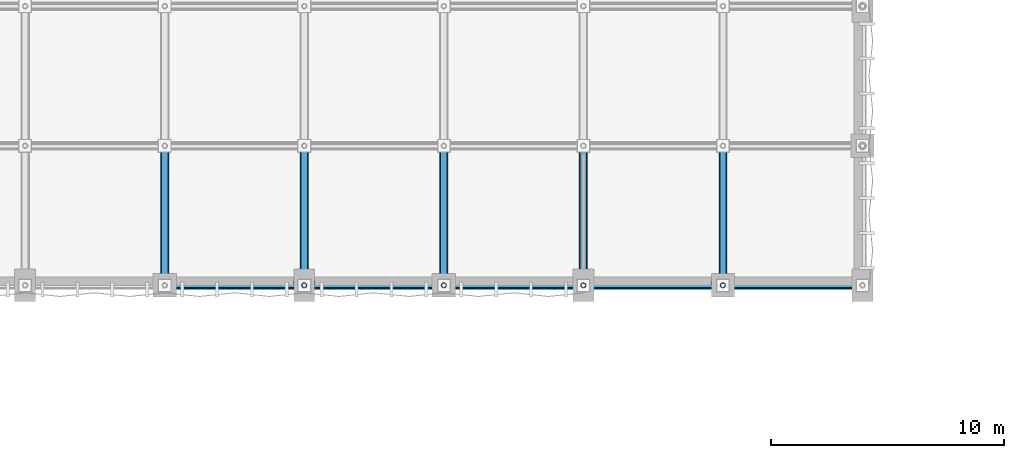
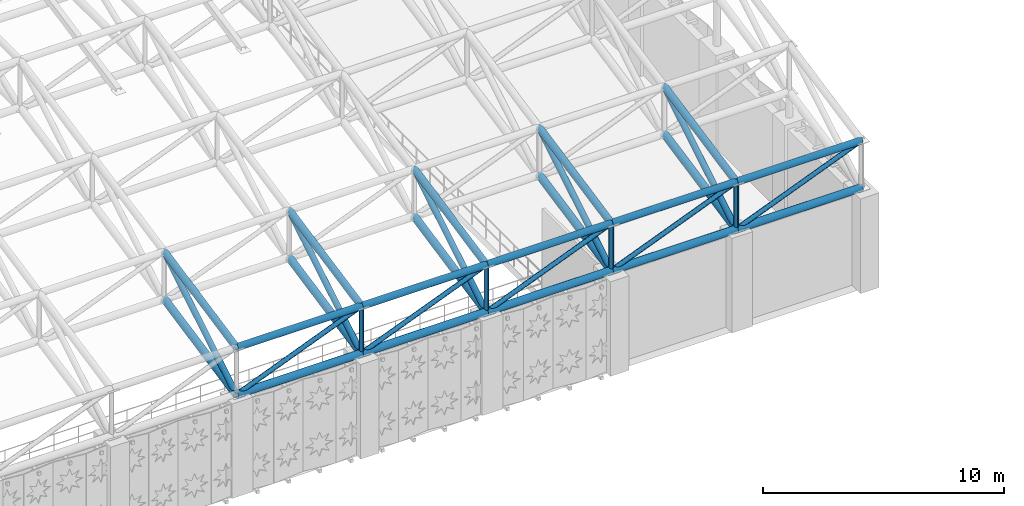
# One storey, part 19 of 112: 34 members.
"""IFC4 building model written with IfcOpenShell, lengths in metres."""

from ifc_helpers import new_model, si_unit, direction, frame, origin, origin_2d, place, context, subcontext, project, spatial, hollow_circle, extrude, material, material_profile, profile_set, type_object, element, save


model = new_model("IFC4")

# Units and contexts
model_context = context("Model", 3, precision=1e-05, world=origin(), true_north=direction((0.0, 1.0)))
body_context = subcontext(model_context, "Body", "Model", "MODEL_VIEW")
ifc_project = project(units=[si_unit("LENGTHUNIT", "METRE"), si_unit("AREAUNIT", "SQUARE_METRE"), si_unit("VOLUMEUNIT", "CUBIC_METRE"), si_unit("PLANEANGLEUNIT", "RADIAN"), si_unit("MASSUNIT", "GRAM", prefix="KILO"), si_unit("THERMODYNAMICTEMPERATUREUNIT", "KELVIN"), si_unit("POWERUNIT", "WATT")], contexts=[model_context])

# Site, building, storey
site_placement = place(None, origin())
site = spatial("IfcSite", under=ifc_project, at=site_placement, CompositionType="ELEMENT")
building_placement = place(site_placement, origin())
building = spatial("IfcBuilding", under=site, at=building_placement, Name="Phaisarnlok Congress Hotel", CompositionType="ELEMENT")
storey_placement = place(building_placement, frame((0.0, 0.0, 19.800048828125)))
storey = spatial("IfcBuildingStorey", under=building, at=storey_placement, Name="L04", CompositionType="ELEMENT", Elevation=19.800048828125)

# Members
ifc_material = material(Name="Steel S355", Category="steel")
ifc_material_profile_1 = material_profile(ifc_material, hollow_circle(Radius=0.109619140625, WallThickness=0.012451171875, at=origin_2d()), Name="CHS 219.1x12.5")
ifc_profile_set_1 = profile_set([ifc_material_profile_1], Name="Steel S355")
member_type_1 = type_object("IfcMemberType", Name="MEM-BRC-CHS219", PredefinedType="BRACE", material=ifc_profile_set_1)
member_1_placement = place(storey_placement, frame((36.0, 42.0, 4.800048828125), z_axis=(0.928481901832, 0.0, 0.371377648723), x_axis=(0.0, 1.0, 0.0)))
element("IfcMember", 1, at=member_1_placement, inside=storey, type_object=member_type_1, Name="Congress Hall space frame web diagonal TB-02", PredefinedType="BRACE", context=body_context, shape_type="SweptSolid", body=[
    extrude(hollow_circle(Radius=0.109619140625, WallThickness=0.012451171875, at=origin_2d()), origin(), (0.0, 0.0, 1.0), 6.462158203125),
])
member_2_placement = place(storey_placement, frame((42.0, 42.0, 4.800048828125), z_axis=(0.0, 0.0, 1.0), x_axis=(1.0, 0.0, 0.0)))
element("IfcMember", 2, at=member_2_placement, inside=storey, type_object=member_type_1, Name="Congress Hall space frame vertical brace TB-02", PredefinedType="BRACE", context=body_context, shape_type="SweptSolid", body=[
    extrude(hollow_circle(Radius=0.109619140625, WallThickness=0.012451171875, at=origin_2d()), origin(), (0.0, 0.0, 1.0), 2.39990234375),
])
member_3_placement = place(storey_placement, frame((42.0, 42.0, 4.800048828125), z_axis=(0.928481901832, 0.0, 0.371377648723), x_axis=(0.0, 1.0, 0.0)))
element("IfcMember", 3, at=member_3_placement, inside=storey, type_object=member_type_1, Name="Congress Hall space frame web diagonal TB-02", PredefinedType="BRACE", context=body_context, shape_type="SweptSolid", body=[
    extrude(hollow_circle(Radius=0.109619140625, WallThickness=0.012451171875, at=origin_2d()), origin(), (0.0, 0.0, 1.0), 6.462158203125),
])
member_4_placement = place(storey_placement, frame((48.0, 42.0, 4.800048828125), z_axis=(0.0, 0.0, 1.0), x_axis=(1.0, 0.0, 0.0)))
element("IfcMember", 4, at=member_4_placement, inside=storey, type_object=member_type_1, Name="Congress Hall space frame vertical brace TB-02", PredefinedType="BRACE", context=body_context, shape_type="SweptSolid", body=[
    extrude(hollow_circle(Radius=0.109619140625, WallThickness=0.012451171875, at=origin_2d()), origin(), (0.0, 0.0, 1.0), 2.39990234375),
])
member_5_placement = place(storey_placement, frame((48.0, 42.0, 4.800048828125), z_axis=(0.928481901832, 0.0, 0.371377648723), x_axis=(0.0, 1.0, 0.0)))
element("IfcMember", 5, at=member_5_placement, inside=storey, type_object=member_type_1, Name="Congress Hall space frame web diagonal TB-02", PredefinedType="BRACE", context=body_context, shape_type="SweptSolid", body=[
    extrude(hollow_circle(Radius=0.109619140625, WallThickness=0.012451171875, at=origin_2d()), origin(), (0.0, 0.0, 1.0), 6.462158203125),
])
member_6_placement = place(storey_placement, frame((54.0, 42.0, 4.800048828125), z_axis=(0.0, 0.0, 1.0), x_axis=(1.0, 0.0, 0.0)))
element("IfcMember", 6, at=member_6_placement, inside=storey, type_object=member_type_1, Name="Congress Hall space frame vertical brace TB-02", PredefinedType="BRACE", context=body_context, shape_type="SweptSolid", body=[
    extrude(hollow_circle(Radius=0.109619140625, WallThickness=0.012451171875, at=origin_2d()), origin(), (0.0, 0.0, 1.0), 2.39990234375),
])
member_7_placement = place(storey_placement, frame((54.0, 42.0, 4.800048828125), z_axis=(0.928481901832, 0.0, 0.371377648723), x_axis=(0.0, 1.0, 0.0)))
element("IfcMember", 7, at=member_7_placement, inside=storey, type_object=member_type_1, Name="Congress Hall space frame web diagonal TB-02", PredefinedType="BRACE", context=body_context, shape_type="SweptSolid", body=[
    extrude(hollow_circle(Radius=0.109619140625, WallThickness=0.012451171875, at=origin_2d()), origin(), (0.0, 0.0, 1.0), 6.462158203125),
])
member_8_placement = place(storey_placement, frame((60.0, 42.0, 4.800048828125), z_axis=(0.0, 0.0, 1.0), x_axis=(1.0, 0.0, 0.0)))
element("IfcMember", 8, at=member_8_placement, inside=storey, type_object=member_type_1, Name="Congress Hall space frame vertical brace TB-02", PredefinedType="BRACE", context=body_context, shape_type="SweptSolid", body=[
    extrude(hollow_circle(Radius=0.109619140625, WallThickness=0.012451171875, at=origin_2d()), origin(), (0.0, 0.0, 1.0), 2.39990234375),
])
member_9_placement = place(storey_placement, frame((60.0, 42.0, 4.800048828125), z_axis=(0.928481901832, 0.0, 0.371377648723), x_axis=(0.0, 1.0, 0.0)))
element("IfcMember", 9, at=member_9_placement, inside=storey, type_object=member_type_1, Name="Congress Hall space frame web diagonal TB-02", PredefinedType="BRACE", context=body_context, shape_type="SweptSolid", body=[
    extrude(hollow_circle(Radius=0.109619140625, WallThickness=0.012451171875, at=origin_2d()), origin(), (0.0, 0.0, 1.0), 6.462158203125),
])
ifc_material_profile_2 = material_profile(ifc_material, hollow_circle(Radius=0.136474609375, WallThickness=0.01611328125, at=origin_2d()), Name="CHS 273x16")
ifc_profile_set_2 = profile_set([ifc_material_profile_2], Name="Steel S355")
member_type_2 = type_object("IfcMemberType", Name="MEM-BRC-CHS273", PredefinedType="BRACE", material=ifc_profile_set_2)
for number, where, z_axis, x_axis, name in (
    (10, (36.0, 42.0, 4.800048828125), (0.0, 0.856192975252, 0.516656161417), (-1.0, 0.0, 0.0), "Congress Hall space frame raking brace TB-03"),
    (11, (42.0, 42.0, 4.800048828125), (0.0, 0.856192975252, 0.516656161417), (-1.0, 0.0, 0.0), "Congress Hall space frame raking brace TB-03"),
    (12, (48.0, 42.0, 4.800048828125), (0.0, 0.856192975252, 0.516656161417), (-1.0, 0.0, 0.0), "Congress Hall space frame raking brace TB-03"),
    (13, (54.0, 42.0, 4.800048828125), (0.0, 0.856192975252, 0.516656161417), (-1.0, 0.0, 0.0), "Congress Hall space frame raking brace TB-03"),
    (14, (60.0, 42.0, 4.800048828125), (0.0, 0.856192975252, 0.516656161417), (-1.0, 0.0, 0.0), "Congress Hall space frame raking brace TB-03"),
):
    element("IfcMember", number, at=place(storey_placement, frame(where, z_axis=z_axis, x_axis=x_axis)), inside=storey, type_object=member_type_2, Name=name, PredefinedType="BRACE", context=body_context, shape_type="SweptSolid", body=[
        extrude(hollow_circle(Radius=0.136474609375, WallThickness=0.01611328125, at=origin_2d()), origin(), (0.0, 0.0, 1.0), 7.0078125),
    ])
ifc_material_profile_3 = material_profile(ifc_material, hollow_circle(Radius=0.161865234375, WallThickness=0.01611328125, at=origin_2d()), Name="CHS 323.9x16")
ifc_profile_set_3 = profile_set([ifc_material_profile_3], Name="Steel S355")
member_type_3 = type_object("IfcMemberType", Name="MEM-CHD-CHS324", PredefinedType="CHORD", material=ifc_profile_set_3)
member_10_placement = place(storey_placement, frame((36.0, 42.0, 7.199951171875), z_axis=(1.0, 0.0, 0.0), x_axis=(0.0, 1.0, 0.0)))
element("IfcMember", 15, at=member_10_placement, inside=storey, type_object=member_type_3, Name="Congress Hall space frame top chord TC-02", PredefinedType="CHORD", context=body_context, shape_type="SweptSolid", body=[
    extrude(hollow_circle(Radius=0.161865234375, WallThickness=0.01611328125, at=origin_2d()), origin(), (0.0, 0.0, 1.0), 6.0),
])
member_11_placement = place(storey_placement, frame((36.0, 42.0, 7.199951171875), z_axis=(0.0, 0.979925045119, 0.199366260807), x_axis=(-1.0, 0.0, 0.0)))
element("IfcMember", 16, at=member_11_placement, inside=storey, type_object=member_type_3, Name="Congress Hall space frame top chord TC-02", PredefinedType="CHORD", context=body_context, shape_type="SweptSolid", body=[
    extrude(hollow_circle(Radius=0.161865234375, WallThickness=0.01611328125, at=origin_2d()), origin(), (0.0, 0.0, 1.0), 6.122802734375),
])
member_12_placement = place(storey_placement, frame((42.0, 42.0, 7.199951171875), z_axis=(1.0, 0.0, 0.0), x_axis=(0.0, 1.0, 0.0)))
element("IfcMember", 17, at=member_12_placement, inside=storey, type_object=member_type_3, Name="Congress Hall space frame top chord TC-02", PredefinedType="CHORD", context=body_context, shape_type="SweptSolid", body=[
    extrude(hollow_circle(Radius=0.161865234375, WallThickness=0.01611328125, at=origin_2d()), origin(), (0.0, 0.0, 1.0), 6.0),
])
member_13_placement = place(storey_placement, frame((42.0, 42.0, 7.199951171875), z_axis=(0.0, 0.979925045119, 0.199366260807), x_axis=(-1.0, 0.0, 0.0)))
element("IfcMember", 18, at=member_13_placement, inside=storey, type_object=member_type_3, Name="Congress Hall space frame top chord TC-02", PredefinedType="CHORD", context=body_context, shape_type="SweptSolid", body=[
    extrude(hollow_circle(Radius=0.161865234375, WallThickness=0.01611328125, at=origin_2d()), origin(), (0.0, 0.0, 1.0), 6.122802734375),
])
member_14_placement = place(storey_placement, frame((48.0, 42.0, 7.199951171875), z_axis=(1.0, 0.0, 0.0), x_axis=(0.0, 1.0, 0.0)))
element("IfcMember", 19, at=member_14_placement, inside=storey, type_object=member_type_3, Name="Congress Hall space frame top chord TC-02", PredefinedType="CHORD", context=body_context, shape_type="SweptSolid", body=[
    extrude(hollow_circle(Radius=0.161865234375, WallThickness=0.01611328125, at=origin_2d()), origin(), (0.0, 0.0, 1.0), 6.0),
])
member_15_placement = place(storey_placement, frame((48.0, 42.0, 7.199951171875), z_axis=(0.0, 0.979925045119, 0.199366260807), x_axis=(-1.0, 0.0, 0.0)))
element("IfcMember", 20, at=member_15_placement, inside=storey, type_object=member_type_3, Name="Congress Hall space frame top chord TC-02", PredefinedType="CHORD", context=body_context, shape_type="SweptSolid", body=[
    extrude(hollow_circle(Radius=0.161865234375, WallThickness=0.01611328125, at=origin_2d()), origin(), (0.0, 0.0, 1.0), 6.122802734375),
])
member_16_placement = place(storey_placement, frame((54.0, 42.0, 7.199951171875), z_axis=(1.0, 0.0, 0.0), x_axis=(0.0, 1.0, 0.0)))
element("IfcMember", 21, at=member_16_placement, inside=storey, type_object=member_type_3, Name="Congress Hall space frame top chord TC-02", PredefinedType="CHORD", context=body_context, shape_type="SweptSolid", body=[
    extrude(hollow_circle(Radius=0.161865234375, WallThickness=0.01611328125, at=origin_2d()), origin(), (0.0, 0.0, 1.0), 6.0),
])
member_17_placement = place(storey_placement, frame((54.0, 42.0, 7.199951171875), z_axis=(0.0, 0.979925045119, 0.199366260807), x_axis=(-1.0, 0.0, 0.0)))
element("IfcMember", 22, at=member_17_placement, inside=storey, type_object=member_type_3, Name="Congress Hall space frame top chord TC-02", PredefinedType="CHORD", context=body_context, shape_type="SweptSolid", body=[
    extrude(hollow_circle(Radius=0.161865234375, WallThickness=0.01611328125, at=origin_2d()), origin(), (0.0, 0.0, 1.0), 6.122802734375),
])
member_18_placement = place(storey_placement, frame((60.0, 42.0, 7.199951171875), z_axis=(1.0, 0.0, 0.0), x_axis=(0.0, 1.0, 0.0)))
element("IfcMember", 23, at=member_18_placement, inside=storey, type_object=member_type_3, Name="Congress Hall space frame top chord TC-02", PredefinedType="CHORD", context=body_context, shape_type="SweptSolid", body=[
    extrude(hollow_circle(Radius=0.161865234375, WallThickness=0.01611328125, at=origin_2d()), origin(), (0.0, 0.0, 1.0), 6.0),
])
member_19_placement = place(storey_placement, frame((60.0, 42.0, 7.199951171875), z_axis=(0.0, 0.979925045119, 0.199366260807), x_axis=(-1.0, 0.0, 0.0)))
element("IfcMember", 24, at=member_19_placement, inside=storey, type_object=member_type_3, Name="Congress Hall space frame top chord TC-02", PredefinedType="CHORD", context=body_context, shape_type="SweptSolid", body=[
    extrude(hollow_circle(Radius=0.161865234375, WallThickness=0.01611328125, at=origin_2d()), origin(), (0.0, 0.0, 1.0), 6.122802734375),
])
ifc_material_profile_4 = material_profile(ifc_material, hollow_circle(Radius=0.177734375, WallThickness=0.02001953125, at=origin_2d()), Name="CHS 355.6x20")
ifc_profile_set_4 = profile_set([ifc_material_profile_4], Name="Steel S355")
member_type_4 = type_object("IfcMemberType", Name="MEM-CHD-CHS356", PredefinedType="CHORD", material=ifc_profile_set_4)
member_20_placement = place(storey_placement, frame((36.0, 42.0, 4.800048828125), z_axis=(1.0, 0.0, 0.0), x_axis=(0.0, 1.0, 0.0)))
element("IfcMember", 25, at=member_20_placement, inside=storey, type_object=member_type_4, Name="Congress Hall space frame bottom chord TC-01", PredefinedType="CHORD", context=body_context, shape_type="SweptSolid", body=[
    extrude(hollow_circle(Radius=0.177734375, WallThickness=0.02001953125, at=origin_2d()), origin(), (0.0, 0.0, 1.0), 6.0),
])
member_21_placement = place(storey_placement, frame((36.0, 42.0, 4.800048828125), z_axis=(0.0, 0.979925045119, 0.199366260807), x_axis=(-1.0, 0.0, 0.0)))
element("IfcMember", 26, at=member_21_placement, inside=storey, type_object=member_type_4, Name="Congress Hall space frame bottom chord TC-01", PredefinedType="CHORD", context=body_context, shape_type="SweptSolid", body=[
    extrude(hollow_circle(Radius=0.177734375, WallThickness=0.02001953125, at=origin_2d()), origin(), (0.0, 0.0, 1.0), 6.122802734375),
])
member_22_placement = place(storey_placement, frame((42.0, 42.0, 4.800048828125), z_axis=(1.0, 0.0, 0.0), x_axis=(0.0, 1.0, 0.0)))
element("IfcMember", 27, at=member_22_placement, inside=storey, type_object=member_type_4, Name="Congress Hall space frame bottom chord TC-01", PredefinedType="CHORD", context=body_context, shape_type="SweptSolid", body=[
    extrude(hollow_circle(Radius=0.177734375, WallThickness=0.02001953125, at=origin_2d()), origin(), (0.0, 0.0, 1.0), 6.0),
])
member_23_placement = place(storey_placement, frame((42.0, 42.0, 4.800048828125), z_axis=(0.0, 0.979925045119, 0.199366260807), x_axis=(-1.0, 0.0, 0.0)))
element("IfcMember", 28, at=member_23_placement, inside=storey, type_object=member_type_4, Name="Congress Hall space frame bottom chord TC-01", PredefinedType="CHORD", context=body_context, shape_type="SweptSolid", body=[
    extrude(hollow_circle(Radius=0.177734375, WallThickness=0.02001953125, at=origin_2d()), origin(), (0.0, 0.0, 1.0), 6.122802734375),
])
member_24_placement = place(storey_placement, frame((48.0, 42.0, 4.800048828125), z_axis=(1.0, 0.0, 0.0), x_axis=(0.0, 1.0, 0.0)))
element("IfcMember", 29, at=member_24_placement, inside=storey, type_object=member_type_4, Name="Congress Hall space frame bottom chord TC-01", PredefinedType="CHORD", context=body_context, shape_type="SweptSolid", body=[
    extrude(hollow_circle(Radius=0.177734375, WallThickness=0.02001953125, at=origin_2d()), origin(), (0.0, 0.0, 1.0), 6.0),
])
member_25_placement = place(storey_placement, frame((48.0, 42.0, 4.800048828125), z_axis=(0.0, 0.979925045119, 0.199366260807), x_axis=(-1.0, 0.0, 0.0)))
element("IfcMember", 30, at=member_25_placement, inside=storey, type_object=member_type_4, Name="Congress Hall space frame bottom chord TC-01", PredefinedType="CHORD", context=body_context, shape_type="SweptSolid", body=[
    extrude(hollow_circle(Radius=0.177734375, WallThickness=0.02001953125, at=origin_2d()), origin(), (0.0, 0.0, 1.0), 6.122802734375),
])
member_26_placement = place(storey_placement, frame((54.0, 42.0, 4.800048828125), z_axis=(1.0, 0.0, 0.0), x_axis=(0.0, 1.0, 0.0)))
element("IfcMember", 31, at=member_26_placement, inside=storey, type_object=member_type_4, Name="Congress Hall space frame bottom chord TC-01", PredefinedType="CHORD", context=body_context, shape_type="SweptSolid", body=[
    extrude(hollow_circle(Radius=0.177734375, WallThickness=0.02001953125, at=origin_2d()), origin(), (0.0, 0.0, 1.0), 6.0),
])
member_27_placement = place(storey_placement, frame((54.0, 42.0, 4.800048828125), z_axis=(0.0, 0.979925045119, 0.199366260807), x_axis=(-1.0, 0.0, 0.0)))
element("IfcMember", 32, at=member_27_placement, inside=storey, type_object=member_type_4, Name="Congress Hall space frame bottom chord TC-01", PredefinedType="CHORD", context=body_context, shape_type="SweptSolid", body=[
    extrude(hollow_circle(Radius=0.177734375, WallThickness=0.02001953125, at=origin_2d()), origin(), (0.0, 0.0, 1.0), 6.122802734375),
])
member_28_placement = place(storey_placement, frame((60.0, 42.0, 4.800048828125), z_axis=(1.0, 0.0, 0.0), x_axis=(0.0, 1.0, 0.0)))
element("IfcMember", 33, at=member_28_placement, inside=storey, type_object=member_type_4, Name="Congress Hall space frame bottom chord TC-01", PredefinedType="CHORD", context=body_context, shape_type="SweptSolid", body=[
    extrude(hollow_circle(Radius=0.177734375, WallThickness=0.02001953125, at=origin_2d()), origin(), (0.0, 0.0, 1.0), 6.0),
])
member_29_placement = place(storey_placement, frame((60.0, 42.0, 4.800048828125), z_axis=(0.0, 0.979925045119, 0.199366260807), x_axis=(-1.0, 0.0, 0.0)))
element("IfcMember", 34, at=member_29_placement, inside=storey, type_object=member_type_4, Name="Congress Hall space frame bottom chord TC-01", PredefinedType="CHORD", context=body_context, shape_type="SweptSolid", body=[
    extrude(hollow_circle(Radius=0.177734375, WallThickness=0.02001953125, at=origin_2d()), origin(), (0.0, 0.0, 1.0), 6.122802734375),
])

save(model, "model.ifc")
